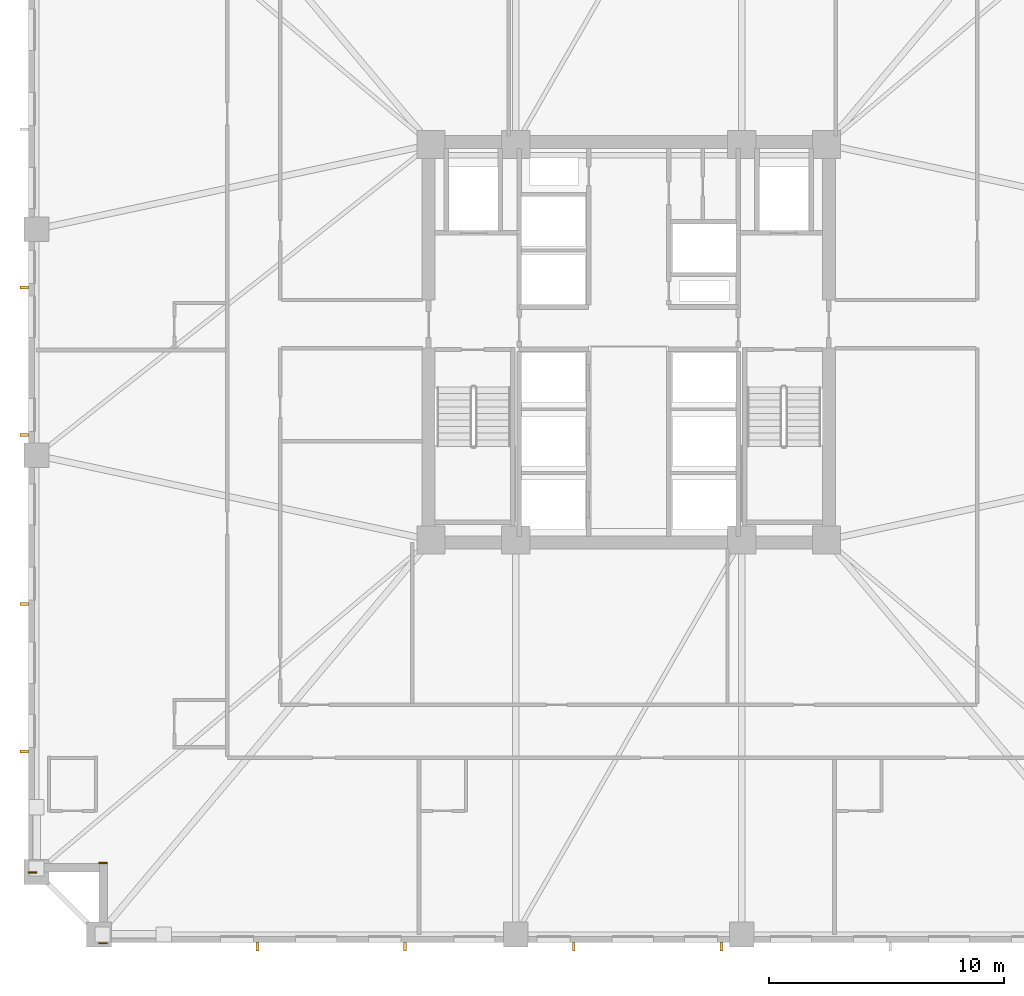
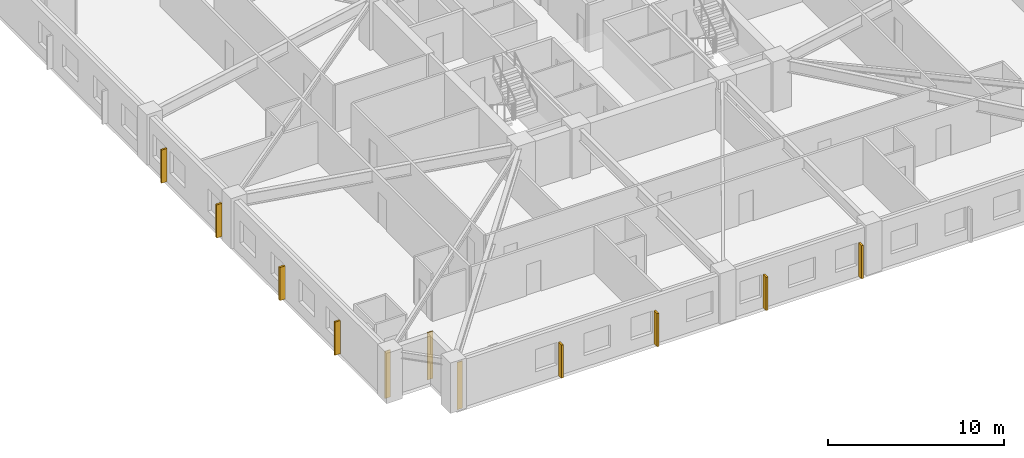
# One storey, part 7 of 11: 8 shading devices, 3 coverings.
"""IFC4 building model written with IfcOpenShell, lengths in metres."""

from ifc_helpers import new_model, si_unit, direction, frame, frame_2d, origin, origin_2d, place, context, subcontext, project, spatial, rectangle, extrude, material, layer, layer_set, type_object, element, save


model = new_model("IFC4")

# Units and contexts
model_context = context("Model", 3, precision=1e-05, world=origin(), true_north=direction((0.0, 1.0)))
body_context = subcontext(model_context, "Body", "Model", "MODEL_VIEW")
ifc_project = project(units=[si_unit("LENGTHUNIT", "METRE"), si_unit("AREAUNIT", "SQUARE_METRE"), si_unit("VOLUMEUNIT", "CUBIC_METRE"), si_unit("PLANEANGLEUNIT", "RADIAN"), si_unit("MASSUNIT", "GRAM", prefix="KILO")], contexts=[model_context])

# Site, building, storey
site_placement = place(None, origin())
site = spatial("IfcSite", under=ifc_project, at=site_placement, CompositionType="ELEMENT")
building_placement = place(site_placement, origin())
building = spatial("IfcBuilding", under=site, at=building_placement, Name="Cairnveth Concourse Tower", CompositionType="ELEMENT")
storey_placement = place(building_placement, frame((0.0, 0.0, 69.0)))
storey = spatial("IfcBuildingStorey", under=building, at=storey_placement, Name="L18", CompositionType="ELEMENT", Elevation=69.0)

# Coverings
ifc_material_1 = material(Name="Dressed Melbourne Bluestone Cladding", Category="masonry")
ifc_layer = layer(ifc_material_1, 0.050048828125)
ifc_layer_set = layer_set([ifc_layer], Name="Dressed Melbourne Bluestone Cladding")
covering_type = type_object("IfcCoveringType", Name="DRESSED BLUESTONE PLINTH CLADDING 50", PredefinedType="CLADDING", material=ifc_layer_set)
for number, where, z_axis, x_axis, name in (
    (1, (29.860107421875, 13.47998046875, 0.0), (0.0, 0.0, 1.0), (-1.0, 0.0, 0.0), "Melbourne Bluestone Corner Quoin L18-235"),
    (2, (29.860107421875, 16.8798828125, 0.0), (0.0, 0.0, 1.0), (-1.0, 0.0, 0.0), "Melbourne Bluestone Corner Quoin L18-236"),
    (3, (26.860107421875, 16.47998046875, 0.0), (0.0, 0.0, 1.0), (-1.0, 0.0, 0.0), "Melbourne Bluestone Corner Quoin L18-237"),
):
    element("IfcCovering", number, at=place(storey_placement, frame(where, z_axis=z_axis, x_axis=x_axis)), inside=storey, type_object=covering_type, Name=name, PredefinedType="CLADDING", context=body_context, shape_type="SweptSolid", body=[
        extrude(rectangle(XDim=0.360107421875, YDim=0.050048828125, at=frame_2d((0.18017578125, 0.0))), origin(), (0.0, 0.0, 1.0), 3.280029296875),
    ])

# Shading devices
ifc_material_2 = material(Name="Architectural Bronze Anodised Aluminium 6063-T6", Category="aluminium")
shading_device_type = type_object("IfcShadingDeviceType", Name="GOTHIC BRONZE VERTICAL LANCET FIN", PredefinedType="USERDEFINED", material=ifc_material_2)
for number, where, z_axis, x_axis, name in (
    (4, (55.939208984375, 13.324951171875, 0.02978515625), (0.0, 0.0, 1.0), (1.0, 0.0, 0.0), "Gothic Bronze Vertical Fin L18-3-5"),
    (5, (49.668701171875, 13.324951171875, 0.02978515625), (0.0, 0.0, 1.0), (1.0, 0.0, 0.0), "Gothic Bronze Vertical Fin L18-3-7"),
    (6, (42.49853515625, 13.324951171875, 0.02978515625), (0.0, 0.0, 1.0), (1.0, 0.0, 0.0), "Gothic Bronze Vertical Fin L18-3-9"),
    (7, (36.22802734375, 13.324951171875, 0.02978515625), (0.0, 0.0, 1.0), (1.0, 0.0, 0.0), "Gothic Bronze Vertical Fin L18-3-11"),
    (8, (26.324951171875, 21.6201171875, 0.02978515625), (0.0, 0.0, 1.0), (0.0, 1.0, 0.0), "Gothic Bronze Vertical Fin L18-6-1"),
    (9, (26.324951171875, 27.890380859375, 0.02978515625), (0.0, 0.0, 1.0), (0.0, 1.0, 0.0), "Gothic Bronze Vertical Fin L18-6-3"),
    (10, (26.324951171875, 35.060791015625, 0.02978515625), (0.0, 0.0, 1.0), (0.0, 1.0, 0.0), "Gothic Bronze Vertical Fin L18-6-5"),
    (11, (26.324951171875, 41.331298828125, 0.02978515625), (0.0, 0.0, 1.0), (0.0, 1.0, 0.0), "Gothic Bronze Vertical Fin L18-6-7"),
):
    element("IfcShadingDevice", number, at=place(storey_placement, frame(where, z_axis=z_axis, x_axis=x_axis)), inside=storey, type_object=shading_device_type, Name=name, ObjectType="VERTICAL FIN", PredefinedType="USERDEFINED", context=body_context, shape_type="SweptSolid", body=[
        extrude(rectangle(XDim=0.1201171875, YDim=0.360107421875, at=origin_2d()), origin(), (0.0, 0.0, 1.0), 2.303955078125),
    ])

save(model, "model.ifc")
